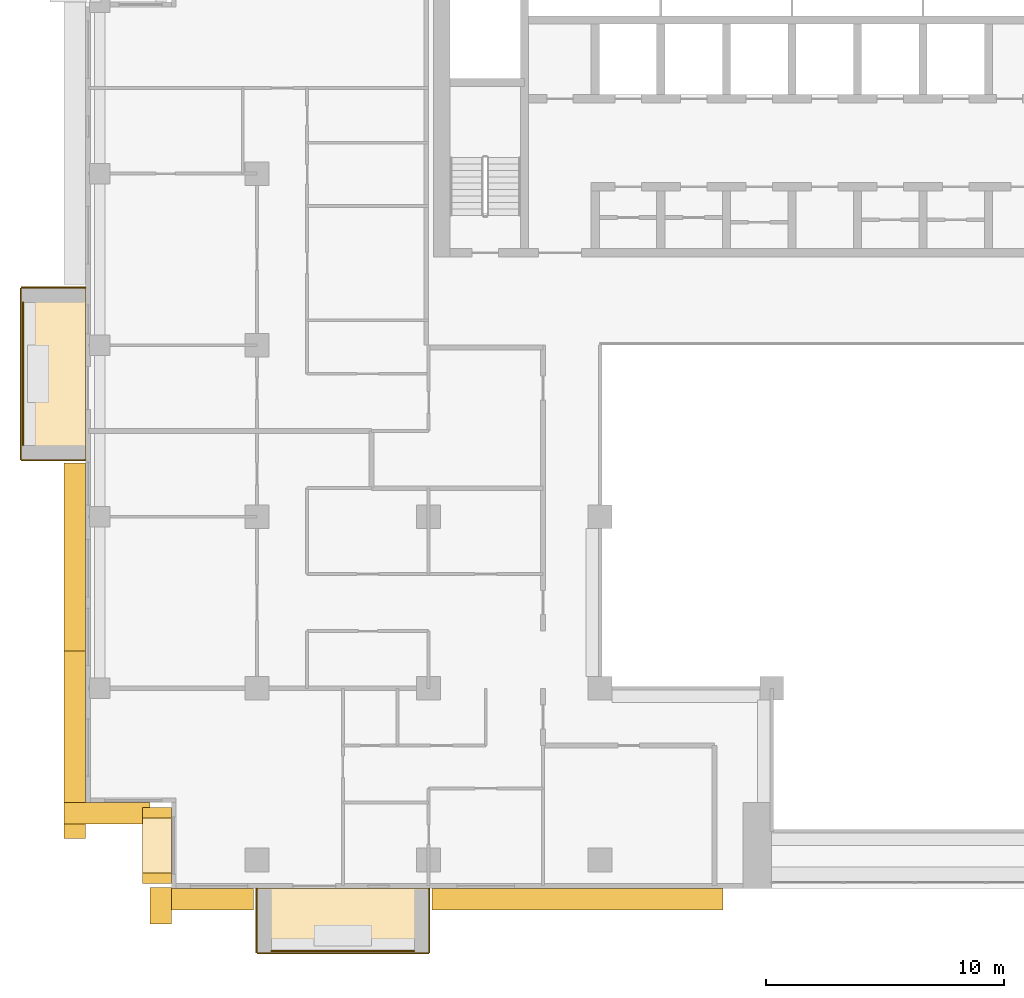
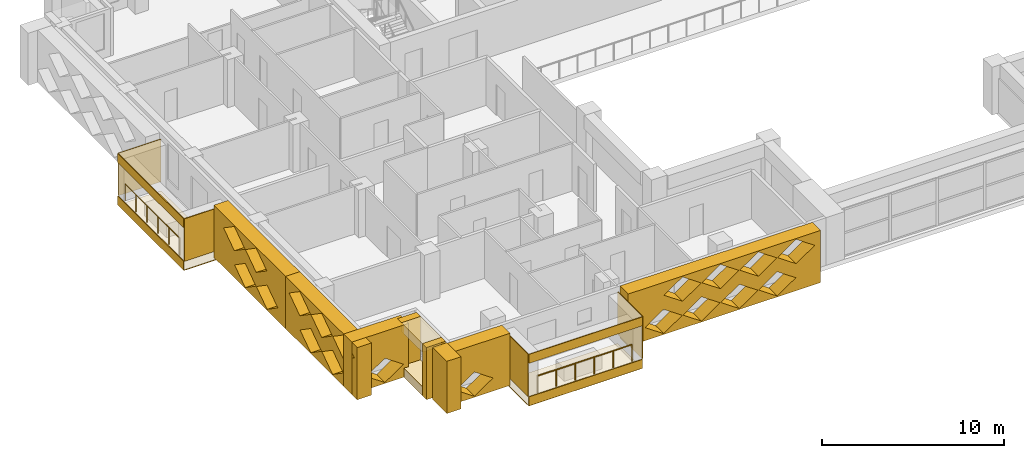
# One storey, part 13 of 19: 20 coverings, 2 railings.
"""IFC4 building model written with IfcOpenShell, lengths in metres."""

from ifc_helpers import new_model, si_unit, direction, frame, origin, origin_2d, place, context, subcontext, project, spatial, polyline, circle, outline, extrude, material, layer, layer_set, type_object, element, save


model = new_model("IFC4")

# Units and contexts
model_context = context("Model", 3, precision=1e-05, world=origin(), true_north=direction((0.0, 1.0)))
body_context = subcontext(model_context, "Body", "Model", "MODEL_VIEW")
ifc_project = project(units=[si_unit("LENGTHUNIT", "METRE"), si_unit("AREAUNIT", "SQUARE_METRE"), si_unit("VOLUMEUNIT", "CUBIC_METRE"), si_unit("PLANEANGLEUNIT", "RADIAN"), si_unit("MASSUNIT", "GRAM", prefix="KILO")], contexts=[model_context])

# Site, building, storey
site_placement = place(None, origin())
site = spatial("IfcSite", under=ifc_project, at=site_placement, CompositionType="ELEMENT")
building_placement = place(site_placement, origin())
building = spatial("IfcBuilding", under=site, at=building_placement, Name="Saffron Iwan Residences", CompositionType="ELEMENT")
storey_placement = place(building_placement, frame((0.0, 0.0, 160.5)))
storey = spatial("IfcBuildingStorey", under=building, at=storey_placement, Name="L42", CompositionType="ELEMENT", Elevation=160.5)

# Railings
ifc_material_1 = material(Name="Stainless steel 316", Category="steel")
railing_type = type_object("IfcRailingType", Name="BALCONY GUARD 1150", PredefinedType="GUARDRAIL", material=ifc_material_1)
railing_1_placement = place(storey_placement, frame((11.77490234375, 64.199951171875, 0.0)))
element("IfcRailing", 1, at=railing_1_placement, inside=storey, type_object=railing_type, Name="Balcony guard L42 F8-0", PredefinedType="GUARDRAIL", context=body_context, shape_type="SweptSolid", body=[
    extrude(circle(Radius=0.02392578125, at=origin_2d()), frame((0.0, 0.0, 1.1259765625), z_axis=(0.0, -1.0, 0.0), x_axis=(1.0, 0.0, 0.0)), (0.0, 0.0, 1.0), 6.0),
    extrude(circle(Radius=0.02099609375, at=origin_2d()), origin(), (0.0, 0.0, 1.0), 1.101806640625),
    extrude(circle(Radius=0.02099609375, at=origin_2d()), frame((0.0, -1.199951171875, 0.0)), (0.0, 0.0, 1.0), 1.101806640625),
    extrude(circle(Radius=0.02099609375, at=origin_2d()), frame((0.0, -2.39990234375, 0.0)), (0.0, 0.0, 1.0), 1.101806640625),
    extrude(circle(Radius=0.02099609375, at=origin_2d()), frame((0.0, -3.60009765625, 0.0)), (0.0, 0.0, 1.0), 1.101806640625),
    extrude(circle(Radius=0.02099609375, at=origin_2d()), frame((0.0, -4.800048828125, 0.0)), (0.0, 0.0, 1.0), 1.101806640625),
    extrude(circle(Radius=0.02099609375, at=origin_2d()), frame((0.0, -6.0, 0.0)), (0.0, 0.0, 1.0), 1.101806640625),
])
railing_2_placement = place(storey_placement, frame((22.199951171875, 36.97509765625, 0.0)))
element("IfcRailing", 2, at=railing_2_placement, inside=storey, type_object=railing_type, Name="Balcony guard L42 11-0", PredefinedType="GUARDRAIL", context=body_context, shape_type="SweptSolid", body=[
    extrude(circle(Radius=0.02392578125, at=origin_2d()), frame((0.0, 0.0, 1.1259765625), z_axis=(1.0, 0.0, 0.0), x_axis=(0.0, 1.0, 0.0)), (0.0, 0.0, 1.0), 6.0),
    extrude(circle(Radius=0.02099609375, at=origin_2d()), origin(), (0.0, 0.0, 1.0), 1.101806640625),
    extrude(circle(Radius=0.02099609375, at=origin_2d()), frame((1.199951171875, 0.0, 0.0)), (0.0, 0.0, 1.0), 1.101806640625),
    extrude(circle(Radius=0.02099609375, at=origin_2d()), frame((2.39990234375, 0.0, 0.0)), (0.0, 0.0, 1.0), 1.101806640625),
    extrude(circle(Radius=0.02099609375, at=origin_2d()), frame((3.60009765625, 0.0, 0.0)), (0.0, 0.0, 1.0), 1.101806640625),
    extrude(circle(Radius=0.02099609375, at=origin_2d()), frame((4.800048828125, 0.0, 0.0)), (0.0, 0.0, 1.0), 1.101806640625),
    extrude(circle(Radius=0.02099609375, at=origin_2d()), frame((6.0, 0.0, 0.0)), (0.0, 0.0, 1.0), 1.101806640625),
])

# Coverings
ifc_material_2 = material(Name="Precast concrete C40/50 white painted", Category="concrete")
ifc_layer = layer(ifc_material_2, 0.050048828125)
ifc_layer_set = layer_set([ifc_layer], Name="Precast concrete C40/50 white painted")
covering_type_1 = type_object("IfcCoveringType", Name="FRAME SKIN PRECAST WHITE 50", PredefinedType="CLADDING", material=ifc_layer_set)
for number, where, name in (
    (3, (0.0, 0.0, -0.60009765625), "Frame skin slab edge L42 F8-0"),
    (4, (0.0, 0.0, 2.25), "Frame skin fascia L42 F8-0"),
):
    element("IfcCovering", number, at=place(storey_placement, frame(where)), inside=storey, type_object=covering_type_1, Name=name, PredefinedType="CLADDING", context=body_context, shape_type="SweptSolid", body=[
        extrude(outline(polyline([(11.64990234375, 64.800048828125), (11.64990234375, 57.60009765625), (11.699951171875, 57.60009765625), (11.699951171875, 64.800048828125), (11.64990234375, 64.800048828125)])), origin(), (0.0, 0.0, 1.0), 0.60009765625),
    ])
covering_1_placement = place(storey_placement, frame((0.0, 0.0, -0.64990234375)))
element("IfcCovering", 5, at=covering_1_placement, inside=storey, type_object=covering_type_1, Name="Frame skin soffit L42 F8-0", PredefinedType="CLADDING", context=body_context, shape_type="SweptSolid", body=[
    extrude(outline(polyline([(11.699951171875, 64.800048828125), (11.699951171875, 57.60009765625), (14.39990234375, 57.60009765625), (14.39990234375, 64.800048828125), (11.699951171875, 64.800048828125)])), origin(), (0.0, 0.0, 1.0), 0.0498046875),
])
covering_2_placement = place(storey_placement, origin())
element("IfcCovering", 6, at=covering_2_placement, inside=storey, type_object=covering_type_1, Name="Frame skin fin L42 F8-0a", PredefinedType="CLADDING", context=body_context, shape_type="SweptSolid", body=[
    extrude(outline(polyline([(11.699951171875, 64.85009765625), (11.699951171875, 64.800048828125), (14.39990234375, 64.800048828125), (14.39990234375, 64.85009765625), (11.699951171875, 64.85009765625)])), origin(), (0.0, 0.0, 1.0), 2.85009765625),
])
covering_3_placement = place(storey_placement, origin())
element("IfcCovering", 7, at=covering_3_placement, inside=storey, type_object=covering_type_1, Name="Frame skin fin L42 F8-0b", PredefinedType="CLADDING", context=body_context, shape_type="SweptSolid", body=[
    extrude(outline(polyline([(11.699951171875, 57.60009765625), (11.699951171875, 57.550048828125), (14.39990234375, 57.550048828125), (14.39990234375, 57.60009765625), (11.699951171875, 57.60009765625)])), origin(), (0.0, 0.0, 1.0), 2.85009765625),
])
for number, where, name in (
    (8, (0.0, 0.0, -0.60009765625), "Frame skin slab edge L42 11-0"),
    (9, (0.0, 0.0, 2.25), "Frame skin fascia L42 11-0"),
):
    element("IfcCovering", number, at=place(storey_placement, frame(where)), inside=storey, type_object=covering_type_1, Name=name, PredefinedType="CLADDING", context=body_context, shape_type="SweptSolid", body=[
        extrude(outline(polyline([(21.60009765625, 36.85009765625), (28.800048828125, 36.85009765625), (28.800048828125, 36.89990234375), (21.60009765625, 36.89990234375), (21.60009765625, 36.85009765625)])), origin(), (0.0, 0.0, 1.0), 0.60009765625),
    ])
covering_4_placement = place(storey_placement, frame((0.0, 0.0, -0.64990234375)))
element("IfcCovering", 10, at=covering_4_placement, inside=storey, type_object=covering_type_1, Name="Frame skin soffit L42 11-0", PredefinedType="CLADDING", context=body_context, shape_type="SweptSolid", body=[
    extrude(outline(polyline([(21.60009765625, 36.89990234375), (28.800048828125, 36.89990234375), (28.800048828125, 39.60009765625), (21.60009765625, 39.60009765625), (21.60009765625, 36.89990234375)])), origin(), (0.0, 0.0, 1.0), 0.0498046875),
])
covering_5_placement = place(storey_placement, origin())
element("IfcCovering", 11, at=covering_5_placement, inside=storey, type_object=covering_type_1, Name="Frame skin fin L42 11-0a", PredefinedType="CLADDING", context=body_context, shape_type="SweptSolid", body=[
    extrude(outline(polyline([(21.550048828125, 36.89990234375), (21.60009765625, 36.89990234375), (21.60009765625, 39.60009765625), (21.550048828125, 39.60009765625), (21.550048828125, 36.89990234375)])), origin(), (0.0, 0.0, 1.0), 2.85009765625),
])
covering_6_placement = place(storey_placement, origin())
element("IfcCovering", 12, at=covering_6_placement, inside=storey, type_object=covering_type_1, Name="Frame skin fin L42 11-0b", PredefinedType="CLADDING", context=body_context, shape_type="SweptSolid", body=[
    extrude(outline(polyline([(28.800048828125, 36.89990234375), (28.85009765625, 36.89990234375), (28.85009765625, 39.60009765625), (28.800048828125, 39.60009765625), (28.800048828125, 36.89990234375)])), origin(), (0.0, 0.0, 1.0), 2.85009765625),
])
ifc_material_3 = material(Name="Precast concrete C40/50", Category="concrete")
covering_type_2 = type_object("IfcCoveringType", Name="OUTER SKIN LATTICE SCREEN", PredefinedType="CLADDING", material=ifc_material_3)
covering_7_placement = place(storey_placement, frame((14.39990234375, 57.449951171875, -0.300048828125), z_axis=(-1.0, 0.0, 0.0), x_axis=(0.0, -1.0, 0.0)))
element("IfcCovering", 13, at=covering_7_placement, inside=storey, type_object=covering_type_2, Name="OUTER SKIN lattice screen L42 F8.1", PredefinedType="CLADDING", context=body_context, shape_type="SweptSolid", body=[
    extrude(outline(polyline([(0.0, 0.0), (7.875, 0.0), (7.875, 3.5), (0.0, 3.5), (0.0, 0.0)]), holes=[polyline([(2.27001953125, 0.875), (3.449951171875, 0.06005859375), (4.6298828125, 0.875), (3.449951171875, 1.68994140625), (2.27001953125, 0.875)]), polyline([(4.669921875, 0.875), (5.85009765625, 0.06005859375), (7.030029296875, 0.875), (5.85009765625, 1.68994140625), (4.669921875, 0.875)]), polyline([(1.070068359375, 2.625), (2.25, 1.81005859375), (3.429931640625, 2.625), (2.25, 3.43994140625), (1.070068359375, 2.625)]), polyline([(3.469970703125, 2.625), (4.64990234375, 1.81005859375), (5.830078125, 2.625), (4.64990234375, 3.43994140625), (3.469970703125, 2.625)])]), origin(), (0.0, 0.0, 1.0), 0.89990234375),
])
covering_8_placement = place(storey_placement, frame((14.39990234375, 49.574951171875, -0.300048828125), z_axis=(-1.0, 0.0, 0.0), x_axis=(0.0, -1.0, 0.0)))
element("IfcCovering", 14, at=covering_8_placement, inside=storey, type_object=covering_type_2, Name="OUTER SKIN lattice screen L42 F8.2", PredefinedType="CLADDING", context=body_context, shape_type="SweptSolid", body=[
    extrude(outline(polyline([(0.0, 0.0), (7.875, 0.0), (7.875, 3.5), (0.0, 3.5), (0.0, 0.0)]), holes=[polyline([(1.594970703125, 0.875), (2.77490234375, 0.06005859375), (3.955078125, 0.875), (2.77490234375, 1.68994140625), (1.594970703125, 0.875)]), polyline([(3.9951171875, 0.875), (5.175048828125, 0.06005859375), (6.35498046875, 0.875), (5.175048828125, 1.68994140625), (3.9951171875, 0.875)]), polyline([(0.39501953125, 2.625), (1.574951171875, 1.81005859375), (2.7548828125, 2.625), (1.574951171875, 3.43994140625), (0.39501953125, 2.625)]), polyline([(2.794921875, 2.625), (3.97509765625, 1.81005859375), (5.155029296875, 2.625), (3.97509765625, 3.43994140625), (2.794921875, 2.625)]), polyline([(5.195068359375, 2.625), (6.375, 1.81005859375), (7.554931640625, 2.625), (6.375, 3.43994140625), (5.195068359375, 2.625)])]), origin(), (0.0, 0.0, 1.0), 0.89990234375),
])
covering_9_placement = place(storey_placement, frame((13.5, 43.199951171875, -0.300048828125), z_axis=(0.0, -1.0, 0.0), x_axis=(1.0, 0.0, 0.0)))
element("IfcCovering", 15, at=covering_9_placement, inside=storey, type_object=covering_type_2, Name="OUTER SKIN lattice screen L42 F9.0", PredefinedType="CLADDING", context=body_context, shape_type="SweptSolid", body=[
    extrude(outline(polyline([(0.0, 0.0), (3.60009765625, 0.0), (3.60009765625, 3.5), (0.0, 3.5), (0.0, 0.0)]), holes=[polyline([(0.919921875, 0.875), (2.10009765625, 0.06005859375), (3.280029296875, 0.875), (2.10009765625, 1.68994140625), (0.919921875, 0.875)])]), origin(), (0.0, 0.0, 1.0), 0.89990234375),
])
covering_10_placement = place(storey_placement, frame((18.0, 39.64990234375, -0.300048828125), z_axis=(-1.0, 0.0, 0.0), x_axis=(0.0, -1.0, 0.0)))
element("IfcCovering", 16, at=covering_10_placement, inside=storey, type_object=covering_type_2, Name="OUTER SKIN lattice screen L42 F10.0", PredefinedType="CLADDING", context=body_context, shape_type="SweptSolid", body=[
    extrude(outline(polyline([(0.0, 0.0), (1.550048828125, 0.0), (1.550048828125, 3.5), (0.0, 3.5), (0.0, 0.0)])), origin(), (0.0, 0.0, 1.0), 0.89990234375),
])
covering_11_placement = place(storey_placement, frame((17.10009765625, 39.60009765625, -0.300048828125), z_axis=(0.0, -1.0, 0.0), x_axis=(1.0, 0.0, 0.0)))
element("IfcCovering", 17, at=covering_11_placement, inside=storey, type_object=covering_type_2, Name="OUTER SKIN lattice screen L42 F11.0", PredefinedType="CLADDING", context=body_context, shape_type="SweptSolid", body=[
    extrude(outline(polyline([(0.0, 0.0), (4.35009765625, 0.0), (4.35009765625, 3.5), (0.0, 3.5), (0.0, 0.0)]), holes=[polyline([(0.919921875, 0.875), (2.10009765625, 0.06005859375), (3.280029296875, 0.875), (2.10009765625, 1.68994140625), (0.919921875, 0.875)])]), origin(), (0.0, 0.0, 1.0), 0.900146484375),
])
covering_12_placement = place(storey_placement, frame((28.949951171875, 39.60009765625, -0.300048828125), z_axis=(0.0, -1.0, 0.0), x_axis=(1.0, 0.0, 0.0)))
element("IfcCovering", 18, at=covering_12_placement, inside=storey, type_object=covering_type_2, Name="OUTER SKIN lattice screen L42 F11.1", PredefinedType="CLADDING", context=body_context, shape_type="SweptSolid", body=[
    extrude(outline(polyline([(0.0, 0.0), (12.199951171875, 0.0), (12.199951171875, 3.5), (0.0, 3.5), (0.0, 0.0)]), holes=[polyline([(1.070068359375, 0.875), (2.25, 0.06005859375), (3.429931640625, 0.875), (2.25, 1.68994140625), (1.070068359375, 0.875)]), polyline([(3.469970703125, 0.875), (4.64990234375, 0.06005859375), (5.830078125, 0.875), (4.64990234375, 1.68994140625), (3.469970703125, 0.875)]), polyline([(5.8701171875, 0.875), (7.050048828125, 0.06005859375), (8.22998046875, 0.875), (7.050048828125, 1.68994140625), (5.8701171875, 0.875)]), polyline([(8.27001953125, 0.875), (9.449951171875, 0.06005859375), (10.6298828125, 0.875), (9.449951171875, 1.68994140625), (8.27001953125, 0.875)]), polyline([(2.27001953125, 2.625), (3.449951171875, 1.81005859375), (4.6298828125, 2.625), (3.449951171875, 3.43994140625), (2.27001953125, 2.625)]), polyline([(4.669921875, 2.625), (5.85009765625, 1.81005859375), (7.030029296875, 2.625), (5.85009765625, 3.43994140625), (4.669921875, 2.625)]), polyline([(7.070068359375, 2.625), (8.25, 1.81005859375), (9.429931640625, 2.625), (8.25, 3.43994140625), (7.070068359375, 2.625)]), polyline([(9.469970703125, 2.625), (10.64990234375, 1.81005859375), (11.830078125, 2.625), (10.64990234375, 3.43994140625), (9.469970703125, 2.625)])]), origin(), (0.0, 0.0, 1.0), 0.900146484375),
])
covering_type_3 = type_object("IfcCoveringType", Name="WHITE SUN FRAME PRECAST", PredefinedType="CLADDING", material=ifc_material_2)
for number, where, z_axis, x_axis, name in (
    (19, (18.0, 43.0, -0.300048828125), (-1.0, 0.0, 0.0), (0.0, -1.0, 0.0), "Sun frame L42 F10 0.2a"),
    (20, (18.0, 40.25, -0.300048828125), (-1.0, 0.0, 0.0), (0.0, -1.0, 0.0), "Sun frame L42 F10 0.2b"),
):
    element("IfcCovering", number, at=place(storey_placement, frame(where, z_axis=z_axis, x_axis=x_axis)), inside=storey, type_object=covering_type_3, Name=name, PredefinedType="CLADDING", context=body_context, shape_type="SweptSolid", body=[
        extrude(outline(polyline([(0.0, 0.0), (0.449951171875, 0.0), (0.449951171875, 3.5), (0.0, 3.5), (0.0, 0.0)])), origin(), (0.0, 0.0, 1.0), 1.199951171875),
    ])
for number, where, z_axis, x_axis, name in (
    (21, (18.0, 42.550048828125, 2.60009765625), (-1.0, 0.0, 0.0), (0.0, -1.0, 0.0), "Sun frame L42 F10 0.2h"),
    (22, (18.0, 42.550048828125, -0.300048828125), (-1.0, 0.0, 0.0), (0.0, -1.0, 0.0), "Sun frame L42 F10 0.2s"),
):
    element("IfcCovering", number, at=place(storey_placement, frame(where, z_axis=z_axis, x_axis=x_axis)), inside=storey, type_object=covering_type_3, Name=name, PredefinedType="CLADDING", context=body_context, shape_type="SweptSolid", body=[
        extrude(outline(polyline([(0.0, 0.0), (2.300048828125, 0.0), (2.300048828125, 0.60009765625), (0.0, 0.60009765625), (0.0, 0.0)])), origin(), (0.0, 0.0, 1.0), 1.199951171875),
    ])

save(model, "model.ifc")
